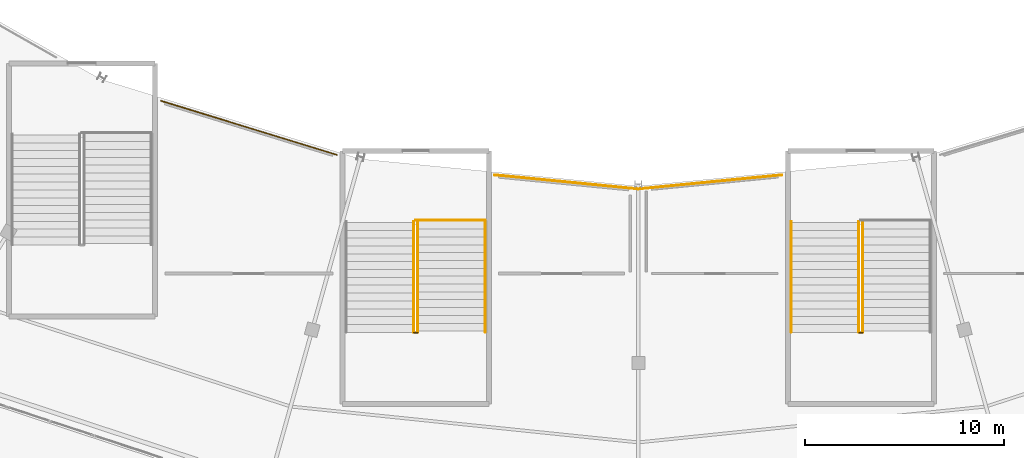
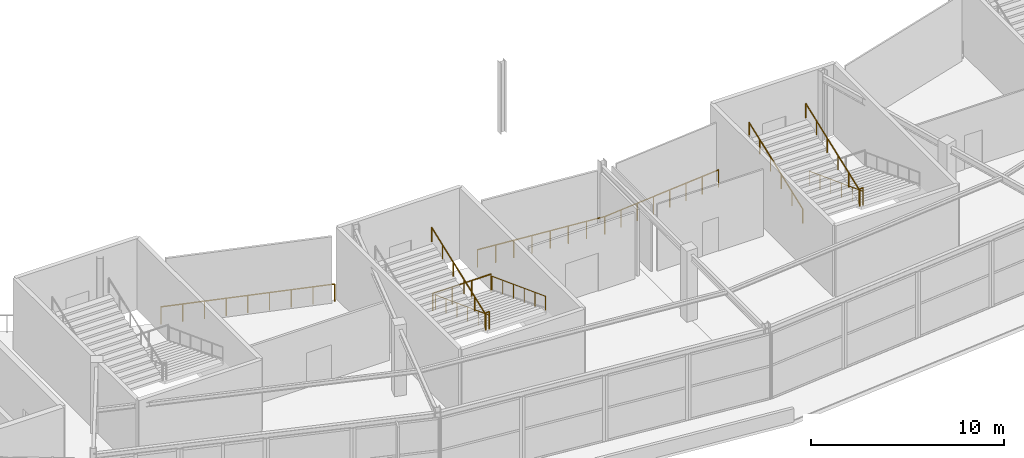
# One storey, part 118 of 126: 12 railings.
"""IFC4 building model written with IfcOpenShell, lengths in metres."""

from ifc_helpers import new_model, si_unit, direction, frame, origin, origin_2d, place, context, subcontext, project, spatial, circle, extrude, material, type_object, element, save


model = new_model("IFC4")

# Units and contexts
model_context = context("Model", 3, precision=1e-05, world=origin(), true_north=direction((0.0, 1.0)))
body_context = subcontext(model_context, "Body", "Model", "MODEL_VIEW")
ifc_project = project(units=[si_unit("LENGTHUNIT", "METRE"), si_unit("AREAUNIT", "SQUARE_METRE"), si_unit("VOLUMEUNIT", "CUBIC_METRE"), si_unit("PLANEANGLEUNIT", "RADIAN"), si_unit("MASSUNIT", "GRAM", prefix="KILO")], contexts=[model_context])

# Site, building, storey
site_placement = place(None, origin())
site = spatial("IfcSite", under=ifc_project, at=site_placement, CompositionType="ELEMENT")
building_placement = place(site_placement, origin())
building = spatial("IfcBuilding", under=site, at=building_placement, Name="Kalgoora Escarpment Arena", CompositionType="ELEMENT")
storey_placement = place(building_placement, frame((0.0, 0.0, 18.89990234375)))
storey = spatial("IfcBuildingStorey", under=building, at=storey_placement, Name="L04", CompositionType="ELEMENT", Elevation=18.89990234375)

# Railings
ifc_material_1 = material(Name="Galvanised & powdercoated tubular steel", Category="steel")
railing_type_1 = type_object("IfcRailingType", Name="RAL-GUARD-1120", PredefinedType="GUARDRAIL", material=ifc_material_1)
railing_1_placement = place(storey_placement, frame((81.300048828125, 16.52001953125, 2.25)))
element("IfcRailing", 1, at=railing_1_placement, inside=storey, type_object=railing_type_1, Name="ST14 L04 half-landing well guard", PredefinedType="GUARDRAIL", context=body_context, shape_type="SweptSolid", body=[
    extrude(circle(Radius=0.02392578125, at=origin_2d()), frame((0.0, 0.0, 1.09619140625), z_axis=(-1.0, 0.0, 0.0), x_axis=(0.0, -1.0, 0.0)), (0.0, 0.0, 1.0), 0.199951171875),
    extrude(circle(Radius=0.02099609375, at=origin_2d()), origin(), (0.0, 0.0, 1.0), 1.072021484375),
    extrude(circle(Radius=0.02099609375, at=origin_2d()), frame((-0.199951171875, 0.0, 0.0)), (0.0, 0.0, 1.0), 1.072021484375),
])
railing_2_placement = place(storey_placement, frame((84.68994140625, 22.18994140625, 0.0)))
element("IfcRailing", 2, at=railing_2_placement, inside=storey, type_object=railing_type_1, Name="ST14 L04 floor landing well guard", PredefinedType="GUARDRAIL", context=body_context, shape_type="SweptSolid", body=[
    extrude(circle(Radius=0.02392578125, at=origin_2d()), frame((0.0, 0.0, 1.09619140625), z_axis=(-1.0, 0.0, 0.0), x_axis=(0.0, -1.0, 0.0)), (0.0, 0.0, 1.0), 3.489990234375),
    extrude(circle(Radius=0.02099609375, at=origin_2d()), origin(), (0.0, 0.0, 1.0), 1.072021484375),
    extrude(circle(Radius=0.02099609375, at=origin_2d()), frame((-1.163330078125, 0.0, 0.0)), (0.0, 0.0, 1.0), 1.072021484375),
    extrude(circle(Radius=0.02099609375, at=origin_2d()), frame((-2.32666015625, 0.0, 0.0)), (0.0, 0.0, 1.0), 1.072021484375),
    extrude(circle(Radius=0.02099609375, at=origin_2d()), frame((-3.489990234375, 0.0, 0.0)), (0.0, 0.0, 1.0), 1.072021484375),
])
railing_3_placement = place(storey_placement, frame((103.695068359375, 16.52001953125, 2.25)))
element("IfcRailing", 3, at=railing_3_placement, inside=storey, type_object=railing_type_1, Name="ST15 L04 half-landing well guard", PredefinedType="GUARDRAIL", context=body_context, shape_type="SweptSolid", body=[
    extrude(circle(Radius=0.02392578125, at=origin_2d()), frame((0.0, 0.0, 1.09619140625), z_axis=(-1.0, 0.0, 0.0), x_axis=(0.0, -1.0, 0.0)), (0.0, 0.0, 1.0), 0.190185546875),
    extrude(circle(Radius=0.02099609375, at=origin_2d()), origin(), (0.0, 0.0, 1.0), 1.072021484375),
    extrude(circle(Radius=0.02099609375, at=origin_2d()), frame((-0.190185546875, 0.0, 0.0)), (0.0, 0.0, 1.0), 1.072021484375),
])
railing_4_placement = place(storey_placement, frame((68.3798828125, 28.188232421875, 0.0)))
element("IfcRailing", 4, at=railing_4_placement, inside=storey, type_object=railing_type_1, Name="L04 concourse bowl balustrade 17", PredefinedType="GUARDRAIL", context=body_context, shape_type="SweptSolid", body=[
    extrude(circle(Radius=0.02392578125, at=origin_2d()), frame((0.0, 0.0, 1.09619140625), z_axis=(0.955884543457, -0.293742641748, 0.0), x_axis=(0.293742641748, 0.955884543457, 0.0)), (0.0, 0.0, 1.0), 9.248046875),
    extrude(circle(Radius=0.02099609375, at=origin_2d()), origin(), (0.0, 0.0, 1.0), 1.072021484375),
    extrude(circle(Radius=0.02099609375, at=origin_2d()), frame((1.10498046875, -0.339599609375, 0.0)), (0.0, 0.0, 1.0), 1.072021484375),
    extrude(circle(Radius=0.02099609375, at=origin_2d()), frame((2.2099609375, -0.67919921875, 0.0)), (0.0, 0.0, 1.0), 1.072021484375),
    extrude(circle(Radius=0.02099609375, at=origin_2d()), frame((3.31494140625, -1.018798828125, 0.0)), (0.0, 0.0, 1.0), 1.072021484375),
    extrude(circle(Radius=0.02099609375, at=origin_2d()), frame((4.419921875, -1.3583984375, 0.0)), (0.0, 0.0, 1.0), 1.072021484375),
    extrude(circle(Radius=0.02099609375, at=origin_2d()), frame((5.525146484375, -1.69775390625, 0.0)), (0.0, 0.0, 1.0), 1.072021484375),
    extrude(circle(Radius=0.02099609375, at=origin_2d()), frame((6.630126953125, -2.037353515625, 0.0)), (0.0, 0.0, 1.0), 1.072021484375),
    extrude(circle(Radius=0.02099609375, at=origin_2d()), frame((7.735107421875, -2.376953125, 0.0)), (0.0, 0.0, 1.0), 1.072021484375),
    extrude(circle(Radius=0.02099609375, at=origin_2d()), frame((8.840087890625, -2.716552734375, 0.0)), (0.0, 0.0, 1.0), 1.072021484375),
])
railing_5_placement = place(storey_placement, frame((85.179931640625, 24.455078125, 0.0)))
element("IfcRailing", 5, at=railing_5_placement, inside=storey, type_object=railing_type_1, Name="L04 concourse bowl balustrade 18", PredefinedType="GUARDRAIL", context=body_context, shape_type="SweptSolid", body=[
    extrude(circle(Radius=0.02392578125, at=origin_2d()), frame((0.0, 0.0, 1.09619140625), z_axis=(0.995265427511, -0.097194283794, 0.0), x_axis=(0.097194283794, 0.995265427511, 0.0)), (0.0, 0.0, 1.0), 7.25439453125),
    extrude(circle(Radius=0.02099609375, at=origin_2d()), origin(), (0.0, 0.0, 1.0), 1.072021484375),
    extrude(circle(Radius=0.02099609375, at=origin_2d()), frame((1.031494140625, -0.100830078125, 0.0)), (0.0, 0.0, 1.0), 1.072021484375),
    extrude(circle(Radius=0.02099609375, at=origin_2d()), frame((2.062744140625, -0.201416015625, 0.0)), (0.0, 0.0, 1.0), 1.072021484375),
    extrude(circle(Radius=0.02099609375, at=origin_2d()), frame((3.09423828125, -0.30224609375, 0.0)), (0.0, 0.0, 1.0), 1.072021484375),
    extrude(circle(Radius=0.02099609375, at=origin_2d()), frame((4.125732421875, -0.40283203125, 0.0)), (0.0, 0.0, 1.0), 1.072021484375),
    extrude(circle(Radius=0.02099609375, at=origin_2d()), frame((5.1572265625, -0.503662109375, 0.0)), (0.0, 0.0, 1.0), 1.072021484375),
    extrude(circle(Radius=0.02099609375, at=origin_2d()), frame((6.1884765625, -0.604248046875, 0.0)), (0.0, 0.0, 1.0), 1.072021484375),
    extrude(circle(Radius=0.02099609375, at=origin_2d()), frame((7.219970703125, -0.705078125, 0.0)), (0.0, 0.0, 1.0), 1.072021484375),
])
railing_6_placement = place(storey_placement, frame((92.39990234375, 23.75, 0.0)))
element("IfcRailing", 6, at=railing_6_placement, inside=storey, type_object=railing_type_1, Name="L04 concourse bowl balustrade 19", PredefinedType="GUARDRAIL", context=body_context, shape_type="SweptSolid", body=[
    extrude(circle(Radius=0.02392578125, at=origin_2d()), frame((0.0, 0.0, 1.09619140625), z_axis=(0.99526574542, 0.097191028362, 0.0), x_axis=(-0.097191028362, 0.99526574542, 0.0)), (0.0, 0.0, 1.0), 7.254638671875),
    extrude(circle(Radius=0.02099609375, at=origin_2d()), origin(), (0.0, 0.0, 1.0), 1.072021484375),
    extrude(circle(Radius=0.02099609375, at=origin_2d()), frame((1.031494140625, 0.100830078125, 0.0)), (0.0, 0.0, 1.0), 1.072021484375),
    extrude(circle(Radius=0.02099609375, at=origin_2d()), frame((2.06298828125, 0.201416015625, 0.0)), (0.0, 0.0, 1.0), 1.072021484375),
    extrude(circle(Radius=0.02099609375, at=origin_2d()), frame((3.094482421875, 0.30224609375, 0.0)), (0.0, 0.0, 1.0), 1.072021484375),
    extrude(circle(Radius=0.02099609375, at=origin_2d()), frame((4.125732421875, 0.40283203125, 0.0)), (0.0, 0.0, 1.0), 1.072021484375),
    extrude(circle(Radius=0.02099609375, at=origin_2d()), frame((5.1572265625, 0.503662109375, 0.0)), (0.0, 0.0, 1.0), 1.072021484375),
    extrude(circle(Radius=0.02099609375, at=origin_2d()), frame((6.188720703125, 0.604248046875, 0.0)), (0.0, 0.0, 1.0), 1.072021484375),
    extrude(circle(Radius=0.02099609375, at=origin_2d()), frame((7.22021484375, 0.705078125, 0.0)), (0.0, 0.0, 1.0), 1.072021484375),
])
ifc_material_2 = material(Name="Brushed stainless steel 316 handrail", Category="steel")
railing_type_2 = type_object("IfcRailingType", Name="RAL-HAND-920", PredefinedType="HANDRAIL", material=ifc_material_2)
for number, where, name in (
    (7, (84.699951171875, 22.110107421875, 0.110107421875), "ST14 L04 pitched stair handrail F1L"),
    (8, (81.31005859375, 22.110107421875, 0.110107421875), "ST14 L04 pitched stair handrail F1R"),
):
    element("IfcRailing", number, at=place(storey_placement, frame(where)), inside=storey, type_object=railing_type_2, Name=name, PredefinedType="HANDRAIL", context=body_context, shape_type="SweptSolid", body=[
        extrude(circle(Radius=0.02392578125, at=origin_2d()), frame((0.0, 0.0, 0.89599609375), z_axis=(0.0, -0.935492612948, 0.353346248203), x_axis=(1.0, 0.0, 0.0)), (0.0, 0.0, 1.0), 5.943359375),
        extrude(circle(Radius=0.02099609375, at=origin_2d()), origin(), (0.0, 0.0, 1.0), 0.871826171875),
        extrude(circle(Radius=0.02099609375, at=origin_2d()), frame((0.0, -1.112060546875, 0.419921875)), (0.0, 0.0, 1.0), 0.871826171875),
        extrude(circle(Radius=0.02099609375, at=origin_2d()), frame((0.0, -2.22412109375, 0.840087890625)), (0.0, 0.0, 1.0), 0.871826171875),
        extrude(circle(Radius=0.02099609375, at=origin_2d()), frame((0.0, -3.3359375, 1.260009765625)), (0.0, 0.0, 1.0), 0.871826171875),
        extrude(circle(Radius=0.02099609375, at=origin_2d()), frame((0.0, -4.447998046875, 1.68017578125)), (0.0, 0.0, 1.0), 0.871826171875),
        extrude(circle(Radius=0.02099609375, at=origin_2d()), frame((0.0, -5.56005859375, 2.10009765625)), (0.0, 0.0, 1.0), 0.871826171875),
    ])
railing_7_placement = place(storey_placement, frame((81.090087890625, 16.550048828125, 2.360107421875)))
element("IfcRailing", 9, at=railing_7_placement, inside=storey, type_object=railing_type_2, Name="ST14 L04 pitched stair handrail F2L", PredefinedType="HANDRAIL", context=body_context, shape_type="SweptSolid", body=[
    extrude(circle(Radius=0.02392578125, at=origin_2d()), frame((0.0, 0.0, 0.89599609375), z_axis=(0.0, 0.935492612948, 0.353346248203), x_axis=(-1.0, 0.0, 0.0)), (0.0, 0.0, 1.0), 5.943359375),
    extrude(circle(Radius=0.02099609375, at=origin_2d()), origin(), (0.0, 0.0, 1.0), 0.871826171875),
    extrude(circle(Radius=0.02099609375, at=origin_2d()), frame((0.0, 1.112060546875, 0.419921875)), (0.0, 0.0, 1.0), 0.871826171875),
    extrude(circle(Radius=0.02099609375, at=origin_2d()), frame((0.0, 2.22412109375, 0.840087890625)), (0.0, 0.0, 1.0), 0.871826171875),
    extrude(circle(Radius=0.02099609375, at=origin_2d()), frame((0.0, 3.3359375, 1.260009765625)), (0.0, 0.0, 1.0), 0.871826171875),
    extrude(circle(Radius=0.02099609375, at=origin_2d()), frame((0.0, 4.447998046875, 1.68017578125)), (0.0, 0.0, 1.0), 0.871826171875),
    extrude(circle(Radius=0.02099609375, at=origin_2d()), frame((0.0, 5.56005859375, 2.10009765625)), (0.0, 0.0, 1.0), 0.871826171875),
])
railing_8_placement = place(storey_placement, frame((103.705078125, 22.110107421875, 0.110107421875)))
element("IfcRailing", 10, at=railing_8_placement, inside=storey, type_object=railing_type_2, Name="ST15 L04 pitched stair handrail F1R", PredefinedType="HANDRAIL", context=body_context, shape_type="SweptSolid", body=[
    extrude(circle(Radius=0.02392578125, at=origin_2d()), frame((0.0, 0.0, 0.89599609375), z_axis=(0.0, -0.935492612948, 0.353346248203), x_axis=(1.0, 0.0, 0.0)), (0.0, 0.0, 1.0), 5.943359375),
    extrude(circle(Radius=0.02099609375, at=origin_2d()), origin(), (0.0, 0.0, 1.0), 0.871826171875),
    extrude(circle(Radius=0.02099609375, at=origin_2d()), frame((0.0, -1.112060546875, 0.419921875)), (0.0, 0.0, 1.0), 0.871826171875),
    extrude(circle(Radius=0.02099609375, at=origin_2d()), frame((0.0, -2.22412109375, 0.840087890625)), (0.0, 0.0, 1.0), 0.871826171875),
    extrude(circle(Radius=0.02099609375, at=origin_2d()), frame((0.0, -3.3359375, 1.260009765625)), (0.0, 0.0, 1.0), 0.871826171875),
    extrude(circle(Radius=0.02099609375, at=origin_2d()), frame((0.0, -4.447998046875, 1.68017578125)), (0.0, 0.0, 1.0), 0.871826171875),
    extrude(circle(Radius=0.02099609375, at=origin_2d()), frame((0.0, -5.56005859375, 2.10009765625)), (0.0, 0.0, 1.0), 0.871826171875),
])
for number, where, name in (
    (11, (103.4951171875, 16.550048828125, 2.360107421875), "ST15 L04 pitched stair handrail F2L"),
    (12, (100.10009765625, 16.550048828125, 2.360107421875), "ST15 L04 pitched stair handrail F2R"),
):
    element("IfcRailing", number, at=place(storey_placement, frame(where)), inside=storey, type_object=railing_type_2, Name=name, PredefinedType="HANDRAIL", context=body_context, shape_type="SweptSolid", body=[
        extrude(circle(Radius=0.02392578125, at=origin_2d()), frame((0.0, 0.0, 0.89599609375), z_axis=(0.0, 0.935492612948, 0.353346248203), x_axis=(-1.0, 0.0, 0.0)), (0.0, 0.0, 1.0), 5.943359375),
        extrude(circle(Radius=0.02099609375, at=origin_2d()), origin(), (0.0, 0.0, 1.0), 0.871826171875),
        extrude(circle(Radius=0.02099609375, at=origin_2d()), frame((0.0, 1.112060546875, 0.419921875)), (0.0, 0.0, 1.0), 0.871826171875),
        extrude(circle(Radius=0.02099609375, at=origin_2d()), frame((0.0, 2.22412109375, 0.840087890625)), (0.0, 0.0, 1.0), 0.871826171875),
        extrude(circle(Radius=0.02099609375, at=origin_2d()), frame((0.0, 3.3359375, 1.260009765625)), (0.0, 0.0, 1.0), 0.871826171875),
        extrude(circle(Radius=0.02099609375, at=origin_2d()), frame((0.0, 4.447998046875, 1.68017578125)), (0.0, 0.0, 1.0), 0.871826171875),
        extrude(circle(Radius=0.02099609375, at=origin_2d()), frame((0.0, 5.56005859375, 2.10009765625)), (0.0, 0.0, 1.0), 0.871826171875),
    ])

save(model, "model.ifc")
